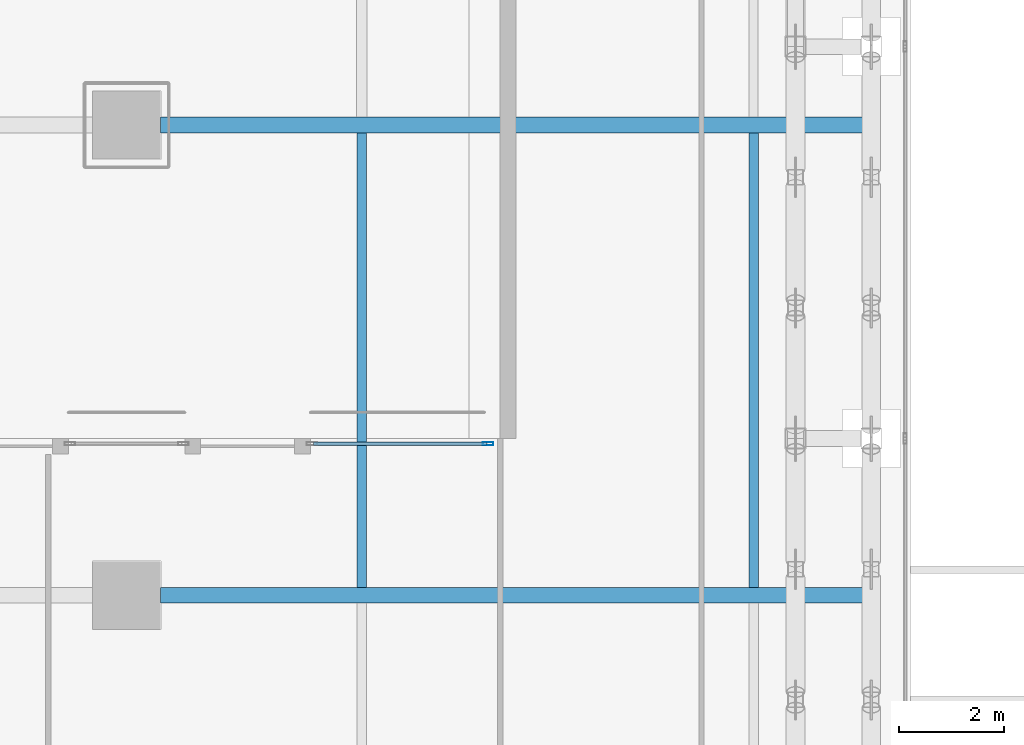
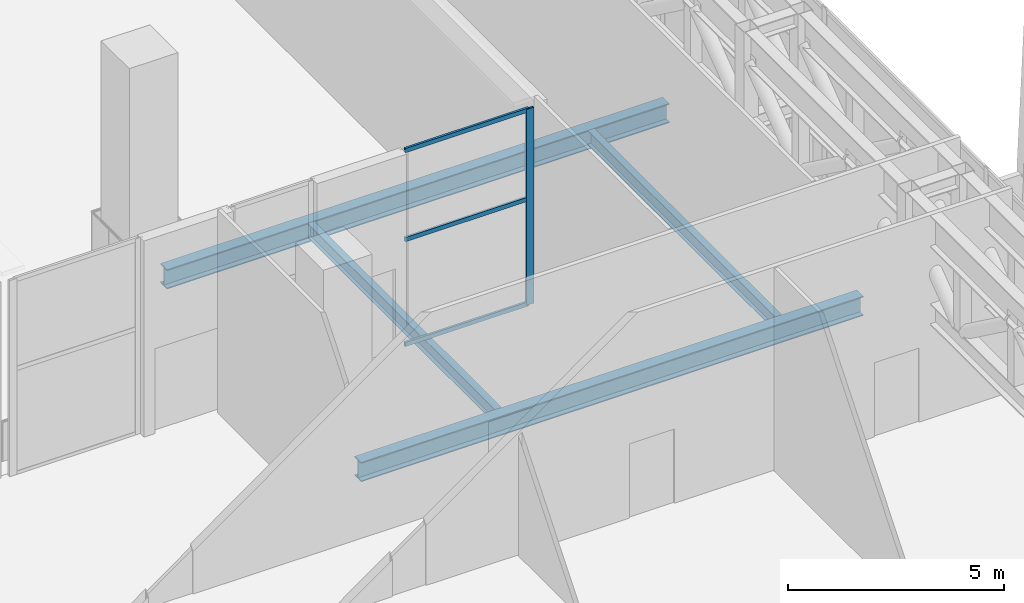
# One storey, part 25 of 47: 4 beams, 4 members, 1 element without a shape of its own.
"""IFC4 building model written with IfcOpenShell, lengths in metres."""

from ifc_helpers import new_model, si_unit, direction, frame, origin, origin_2d, place, context, subcontext, project, spatial, hollow_rectangle, i_section, extrude, source, transform, mapped, material, material_profile, profile_set, type_object, element, aggregate, save


model = new_model("IFC4")

# Units and contexts
model_context = context("Model", 3, precision=1e-05, world=origin(), true_north=direction((0.0, 1.0)))
body_context = subcontext(model_context, "Body", "Model", "MODEL_VIEW")
ifc_project = project(units=[si_unit("LENGTHUNIT", "METRE"), si_unit("AREAUNIT", "SQUARE_METRE"), si_unit("VOLUMEUNIT", "CUBIC_METRE"), si_unit("PLANEANGLEUNIT", "RADIAN"), si_unit("MASSUNIT", "GRAM", prefix="KILO")], contexts=[model_context])

# Site, building, storey
site_placement = place(None, origin())
site = spatial("IfcSite", under=ifc_project, at=site_placement, CompositionType="ELEMENT")
building_placement = place(site_placement, origin())
building = spatial("IfcBuilding", under=site, at=building_placement, Name="Khomas Fold Tower", CompositionType="ELEMENT")
storey_placement = place(building_placement, frame((0.0, 0.0, 158.699951171875)))
storey = spatial("IfcBuildingStorey", under=building, at=storey_placement, Name="L34", CompositionType="ELEMENT", Elevation=158.699951171875)

# Beams
ifc_material_1 = material(Name="Steel S355", Category="steel")
ifc_material_profile_1 = material_profile(ifc_material_1, i_section(OverallWidth=0.179931640625, OverallDepth=0.39990234375, WebThickness=0.008544921875, FlangeThickness=0.013427734375, at=origin_2d()), Name="IPE 400")
ifc_profile_set_1 = profile_set([ifc_material_profile_1], Name="Steel S355")
beam_type_1 = type_object("IfcBeamType", Name="IPE 400 beam JB3", PredefinedType="BEAM", material=ifc_profile_set_1)
shared_shape_1 = source(origin(), body_context, "Body", "SweptSolid", [
    extrude(i_section(OverallWidth=0.179931640625, OverallDepth=0.39990234375, WebThickness=0.008544921875, FlangeThickness=0.013427734375, at=origin_2d()), origin(), (0.0, 0.0, 1.0), 8.7001953125),
])
for number, where, z_axis, x_axis, name in (
    (1, (42.0, 31.64990234375, -0.64990234375), (0.0, 1.0, 0.0), (-1.0, 0.0, 0.0), "JB3"),
    (2, (49.5, 31.64990234375, -0.64990234375), (0.0, 1.0, 0.0), (-1.0, 0.0, 0.0), "JB3"),
):
    element("IfcBeam", number, at=place(storey_placement, frame(where, z_axis=z_axis, x_axis=x_axis)), inside=storey, type_object=beam_type_1, Name=name, PredefinedType="BEAM", context=body_context, shape_type="MappedRepresentation", body=[
        mapped(shared_shape_1, transform((0.0, 0.0, 0.0))),
    ])
ifc_material_2 = material(Name="Steel S355", Category="steel")
ifc_material_profile_2 = material_profile(ifc_material_2, i_section(OverallWidth=0.300048828125, OverallDepth=0.550048828125, WebThickness=0.014892578125, FlangeThickness=0.029052734375, at=origin_2d()), Name="HE 550 B")
ifc_profile_set_2 = profile_set([ifc_material_profile_2], Name="Steel S355")
beam_type_2 = type_object("IfcBeamType", Name="HE 550 B beam GB4", PredefinedType="BEAM", material=ifc_profile_set_2)
shared_shape_2 = source(origin(), body_context, "Body", "SweptSolid", [
    extrude(i_section(OverallWidth=0.300048828125, OverallDepth=0.550048828125, WebThickness=0.014892578125, FlangeThickness=0.029052734375, at=origin_2d()), origin(), (0.0, 0.0, 1.0), 13.4501953125),
])
for number, where, z_axis, x_axis, name in (
    (3, (38.14990234375, 31.5, -0.724853515625), (1.0, 0.0, 0.0), (0.0, 1.0, 0.0), "GB4"),
    (4, (38.14990234375, 40.5, -0.724853515625), (1.0, 0.0, 0.0), (0.0, 1.0, 0.0), "GB4"),
):
    element("IfcBeam", number, at=place(storey_placement, frame(where, z_axis=z_axis, x_axis=x_axis)), inside=storey, type_object=beam_type_2, Name=name, PredefinedType="BEAM", context=body_context, shape_type="MappedRepresentation", body=[
        mapped(shared_shape_2, transform((0.0, 0.0, 0.0))),
    ])

# Curtain wall, members
ifc_material_3 = material(Name="Aluminium framed double glazing", Category="aluminium")
curtain_wall_type = type_object("IfcCurtainWallType", Name="Notch glazing GN-CW", PredefinedType="NOTDEFINED", material=ifc_material_3)
curtain_wall_placement = place(storey_placement, origin())
curtain_wall = element("IfcCurtainWall", 5, at=curtain_wall_placement, inside=storey, type_object=curtain_wall_type, Name="Notch glazing run", PredefinedType="NOTDEFINED")
ifc_material_4 = material(Name="Aluminium", Category="aluminium")
ifc_material_profile_3 = material_profile(ifc_material_4, hollow_rectangle(XDim=0.06005859375, YDim=0.199951171875, WallThickness=0.00390625, at=origin_2d()), Name="Notch glazing mullion GN-CW-M")
ifc_profile_set_3 = profile_set([ifc_material_profile_3], Name="Aluminium")
member_type_1 = type_object("IfcMemberType", Name="Notch glazing mullion GN-CW-M", PredefinedType="MULLION", material=ifc_profile_set_3)
shared_shape_3 = source(origin(), body_context, "Body", "SweptSolid", [
    extrude(hollow_rectangle(XDim=0.06005859375, YDim=0.199951171875, WallThickness=0.00390625, at=origin_2d()), origin(), (0.0, 0.0, 1.0), 5.550048828125),
])
member_1_placement = place(storey_placement, frame((44.419921875, 34.39990234375, 0.0), z_axis=(0.0, 0.0, 1.0), x_axis=(0.0, -1.0, 0.0)))
member_1 = element("IfcMember", 6, at=member_1_placement, type_object=member_type_1, Name="GN-CW mullion 1", PredefinedType="MULLION", context=body_context, shape_type="MappedRepresentation", body=[
    mapped(shared_shape_3, transform((0.0, 0.0, 0.0))),
])
ifc_material_5 = material(Name="Aluminium", Category="aluminium")
ifc_material_profile_4 = material_profile(ifc_material_5, hollow_rectangle(XDim=0.06005859375, YDim=0.1201171875, WallThickness=0.00390625, at=origin_2d()), Name="Notch glazing transom GN-CW-T")
ifc_profile_set_4 = profile_set([ifc_material_profile_4], Name="Aluminium")
member_type_2 = type_object("IfcMemberType", Name="Notch glazing transom GN-CW-T", PredefinedType="USERDEFINED", material=ifc_profile_set_4)
shared_shape_4 = source(origin(), body_context, "Body", "SweptSolid", [
    extrude(hollow_rectangle(XDim=0.06005859375, YDim=0.1201171875, WallThickness=0.00390625, at=origin_2d()), origin(), (0.0, 0.0, 1.0), 3.313232421875),
])
member_2_placement = place(storey_placement, frame((44.389892578125, 34.39990234375, 0.030029296875), z_axis=(-1.0, 0.0, 0.0), x_axis=(0.0, -1.0, 0.0)))
member_2 = element("IfcMember", 7, at=member_2_placement, type_object=member_type_2, Name="GN-CW transom 1.1", ObjectType="TRANSOM", PredefinedType="USERDEFINED", context=body_context, shape_type="MappedRepresentation", body=[
    mapped(shared_shape_4, transform((0.0, 0.0, 0.0))),
])
member_3_placement = place(storey_placement, frame((44.389892578125, 34.39990234375, 3.0), z_axis=(-1.0, 0.0, 0.0), x_axis=(0.0, -1.0, 0.0)))
member_3 = element("IfcMember", 8, at=member_3_placement, type_object=member_type_2, Name="GN-CW transom 1.2", ObjectType="TRANSOM", PredefinedType="USERDEFINED", context=body_context, shape_type="MappedRepresentation", body=[
    mapped(shared_shape_4, transform((0.0, 0.0, 0.0))),
])
member_4_placement = place(storey_placement, frame((44.389892578125, 34.39990234375, 5.52001953125), z_axis=(-1.0, 0.0, 0.0), x_axis=(0.0, -1.0, 0.0)))
member_4 = element("IfcMember", 9, at=member_4_placement, type_object=member_type_2, Name="GN-CW transom 1.3", ObjectType="TRANSOM", PredefinedType="USERDEFINED", context=body_context, shape_type="MappedRepresentation", body=[
    mapped(shared_shape_4, transform((0.0, 0.0, 0.0))),
])
aggregate(curtain_wall, [member_1, member_2, member_3, member_4])

save(model, "model.ifc")
